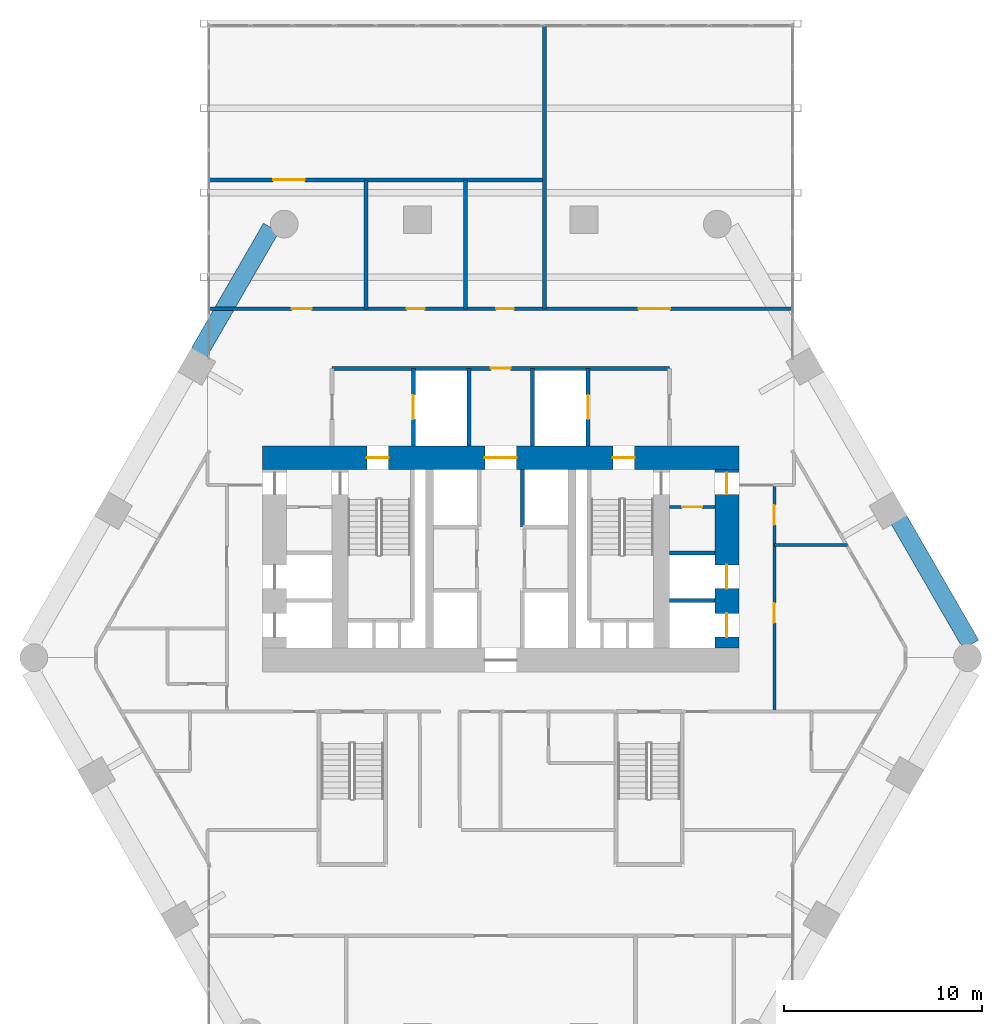
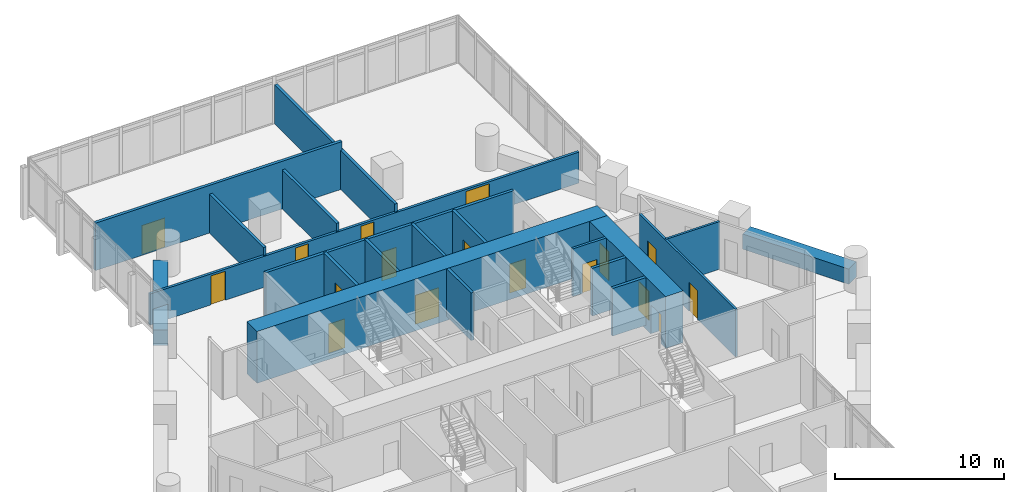
# One storey, part 26 of 28: 20 walls, 17 doors, 17 openings.
"""IFC4 building model written with IfcOpenShell, lengths in metres."""

from ifc_helpers import new_model, si_unit, direction, frame, frame_2d, origin, place, context, subcontext, project, spatial, rectangle, extrude, material, layer, layer_set, type_object, element, fill, save


model = new_model("IFC4")

# Units and contexts
model_context = context("Model", 3, precision=1e-05, world=origin(), true_north=direction((0.0, 1.0)))
body_context = subcontext(model_context, "Body", "Model", "MODEL_VIEW")
ifc_project = project(units=[si_unit("LENGTHUNIT", "METRE"), si_unit("AREAUNIT", "SQUARE_METRE"), si_unit("VOLUMEUNIT", "CUBIC_METRE"), si_unit("PLANEANGLEUNIT", "RADIAN"), si_unit("MASSUNIT", "GRAM", prefix="KILO")], contexts=[model_context])

# Site, building, storey
site_placement = place(None, origin())
site = spatial("IfcSite", under=ifc_project, at=site_placement, CompositionType="ELEMENT")
building_placement = place(site_placement, origin())
building = spatial("IfcBuilding", under=site, at=building_placement, Name="Ostrander Bayou Hotel Tower", CompositionType="ELEMENT")
storey_placement = place(building_placement, frame((0.0, 0.0, 73.0)))
storey = spatial("IfcBuildingStorey", under=building, at=storey_placement, Name="L18", CompositionType="ELEMENT", Elevation=73.0)

# Wall, openings, doors
ifc_material_1 = material(Name="Concrete f'c 70 MPa", Category="concrete")
ifc_layer_1 = layer(ifc_material_1, 1.199951171875)
ifc_layer_set_1 = layer_set([ifc_layer_1], Name="CW1 core wall 1200 mm f'c 70 MPa")
wall_type_1 = type_object("IfcWallType", Name="CW1 core wall 1200 mm f'c 70 MPa", PredefinedType="SHEAR", material=ifc_layer_set_1)
wall_1_placement = place(storey_placement, frame((-12.0, 9.10009765625, -0.300048828125), z_axis=(0.0, 0.0, 1.0), x_axis=(1.0, 0.0, 0.0)))
wall_1 = element("IfcWall", 1, at=wall_1_placement, inside=storey, type_object=wall_type_1, Name="CW1 L18 N", PredefinedType="SHEAR", context=body_context, shape_type="SweptSolid", body=[
    extrude(rectangle(XDim=24.0, YDim=1.199951171875, at=frame_2d((12.0, 0.0))), origin(), (0.0, 0.0, 1.0), 3.75),
])
opening_1_placement = place(wall_1_placement, frame((11.199951171875, 0.0, 0.0)))
opening_1 = element("IfcOpeningElement", 2, at=opening_1_placement, cuts=wall_1, Name="Opening T18-002", PredefinedType="OPENING", context=body_context, shape_type="SweptSolid", body=[
    extrude(rectangle(XDim=1.60009765625, YDim=2.10009765625, at=frame_2d((0.800048828125, 1.050048828125))), frame((0.0, 0.60009765625, 0.0), z_axis=(0.0, -1.0, 0.0), x_axis=(1.0, 0.0, 0.0)), (0.0, 0.0, 1.0), 1.199951171875),
])
opening_2_placement = place(wall_1_placement, frame((5.25, 0.0, 0.0)))
opening_2 = element("IfcOpeningElement", 3, at=opening_2_placement, cuts=wall_1, Name="Opening T18-003", PredefinedType="OPENING", context=body_context, shape_type="SweptSolid", body=[
    extrude(rectangle(XDim=1.10009765625, YDim=2.10009765625, at=frame_2d((0.550048828125, 1.050048828125))), frame((0.0, 0.60009765625, 0.0), z_axis=(0.0, -1.0, 0.0), x_axis=(1.0, 0.0, 0.0)), (0.0, 0.0, 1.0), 1.199951171875),
])
opening_3_placement = place(wall_1_placement, frame((17.64990234375, 0.0, 0.0)))
opening_3 = element("IfcOpeningElement", 4, at=opening_3_placement, cuts=wall_1, Name="Opening T18-005", PredefinedType="OPENING", context=body_context, shape_type="SweptSolid", body=[
    extrude(rectangle(XDim=1.10009765625, YDim=2.10009765625, at=frame_2d((0.550048828125, 1.050048828125))), frame((0.0, 0.60009765625, 0.0), z_axis=(0.0, -1.0, 0.0), x_axis=(1.0, 0.0, 0.0)), (0.0, 0.0, 1.0), 1.199951171875),
])
ifc_material_2 = material(Name="Timber door leaf", Category="wood")
door_type_1 = type_object("IfcDoorType", Name="D13 double door 1600 x 2100 mm, 1 hour", OperationType="SINGLE_SWING_LEFT", PredefinedType="DOOR", material=ifc_material_2)
door_1_placement = place(opening_1_placement, origin())
door_1 = element("IfcDoor", 5, at=door_1_placement, inside=storey, type_object=door_type_1, Name="dr:L18:002", OperationType="DOUBLE_DOOR_SINGLE_SWING", OverallHeight=2.10009765625, OverallWidth=1.60009765625, PredefinedType="DOOR", context=body_context, shape_type="SweptSolid", body=[
    extrude(rectangle(XDim=1.60009765625, YDim=2.10009765625, at=frame_2d((0.800048828125, 1.050048828125))), frame((0.0, 0.02490234375, 0.0), z_axis=(0.0, -1.0, 0.0), x_axis=(1.0, 0.0, 0.0)), (0.0, 0.0, 1.0), 0.050048828125),
])
fill(opening_1, door_1)
ifc_material_3 = material(Name="Timber door leaf", Category="wood")
door_type_2 = type_object("IfcDoorType", Name="D5 stair door 1100 x 2100 mm, 90 minute", OperationType="SINGLE_SWING_LEFT", PredefinedType="DOOR", material=ifc_material_3)
door_2_placement = place(opening_2_placement, origin())
door_2 = element("IfcDoor", 6, at=door_2_placement, inside=storey, type_object=door_type_2, Name="dr:L18:003", OperationType="SINGLE_SWING_LEFT", OverallHeight=2.10009765625, OverallWidth=1.10009765625, PredefinedType="DOOR", context=body_context, shape_type="SweptSolid", body=[
    extrude(rectangle(XDim=1.10009765625, YDim=2.10009765625, at=frame_2d((0.550048828125, 1.050048828125))), frame((0.0, 0.02490234375, 0.0), z_axis=(0.0, -1.0, 0.0), x_axis=(1.0, 0.0, 0.0)), (0.0, 0.0, 1.0), 0.050048828125),
])
fill(opening_2, door_2)
door_3_placement = place(opening_3_placement, origin())
door_3 = element("IfcDoor", 7, at=door_3_placement, inside=storey, type_object=door_type_2, Name="dr:L18:005", OperationType="SINGLE_SWING_RIGHT", OverallHeight=2.10009765625, OverallWidth=1.10009765625, PredefinedType="DOOR", context=body_context, shape_type="SweptSolid", body=[
    extrude(rectangle(XDim=1.10009765625, YDim=2.10009765625, at=frame_2d((0.550048828125, 1.050048828125))), frame((0.0, 0.02490234375, 0.0), z_axis=(0.0, -1.0, 0.0), x_axis=(1.0, 0.0, 0.0)), (0.0, 0.0, 1.0), 0.050048828125),
])
fill(opening_3, door_3)

wall_2_placement = place(storey_placement, frame((11.39990234375, -0.5, -0.300048828125), z_axis=(0.0, 0.0, 1.0), x_axis=(0.0, 1.0, 0.0)))
wall_2 = element("IfcWall", 8, at=wall_2_placement, inside=storey, type_object=wall_type_1, Name="CW1 L18 RE", PredefinedType="SHEAR", context=body_context, shape_type="SweptSolid", body=[
    extrude(rectangle(XDim=9.0, YDim=1.199951171875, at=frame_2d((4.5, 0.0))), origin(), (0.0, 0.0, 1.0), 3.75),
])
opening_4_placement = place(wall_2_placement, frame((7.75, 0.0, 0.0)))
opening_4 = element("IfcOpeningElement", 9, at=opening_4_placement, cuts=wall_2, Name="Opening T18-021", PredefinedType="OPENING", context=body_context, shape_type="SweptSolid", body=[
    extrude(rectangle(XDim=1.10009765625, YDim=2.10009765625, at=frame_2d((0.550048828125, 1.050048828125))), frame((0.0, 0.60009765625, 0.0), z_axis=(0.0, -1.0, 0.0), x_axis=(1.0, 0.0, 0.0)), (0.0, 0.0, 1.0), 1.199951171875),
])
opening_5_placement = place(wall_2_placement, frame((0.550048828125, 0.0, 0.0)))
opening_5 = element("IfcOpeningElement", 10, at=opening_5_placement, cuts=wall_2, Name="Opening T18-022", PredefinedType="OPENING", context=body_context, shape_type="SweptSolid", body=[
    extrude(rectangle(XDim=1.199951171875, YDim=2.10009765625, at=frame_2d((0.60009765625, 1.050048828125))), frame((0.0, 0.60009765625, 0.0), z_axis=(0.0, -1.0, 0.0), x_axis=(1.0, 0.0, 0.0)), (0.0, 0.0, 1.0), 1.199951171875),
])
opening_6_placement = place(wall_2_placement, frame((3.0, 0.0, 0.0)))
opening_6 = element("IfcOpeningElement", 11, at=opening_6_placement, cuts=wall_2, Name="Opening T18-023", PredefinedType="OPENING", context=body_context, shape_type="SweptSolid", body=[
    extrude(rectangle(XDim=1.199951171875, YDim=2.10009765625, at=frame_2d((0.60009765625, 1.050048828125))), frame((0.0, 0.60009765625, 0.0), z_axis=(0.0, -1.0, 0.0), x_axis=(1.0, 0.0, 0.0)), (0.0, 0.0, 1.0), 1.199951171875),
])
door_4_placement = place(opening_4_placement, origin())
door_4 = element("IfcDoor", 12, at=door_4_placement, inside=storey, type_object=door_type_2, Name="dr:L18:021", OperationType="SINGLE_SWING_RIGHT", OverallHeight=2.10009765625, OverallWidth=1.10009765625, PredefinedType="DOOR", context=body_context, shape_type="SweptSolid", body=[
    extrude(rectangle(XDim=1.10009765625, YDim=2.10009765625, at=frame_2d((0.550048828125, 1.050048828125))), frame((0.0, 0.02490234375, 0.0), z_axis=(0.0, -1.0, 0.0), x_axis=(1.0, 0.0, 0.0)), (0.0, 0.0, 1.0), 0.050048828125),
])
fill(opening_4, door_4)
ifc_material_4 = material(Name="Stainless steel sliding door", Category="steel")
door_type_3 = type_object("IfcDoorType", Name="LD1 lift landing door 1200 x 2100 mm", OperationType="SINGLE_SWING_LEFT", PredefinedType="DOOR", material=ifc_material_4)
door_5_placement = place(opening_5_placement, origin())
door_5 = element("IfcDoor", 13, at=door_5_placement, inside=storey, type_object=door_type_3, Name="dr:L18:022", OperationType="SLIDING_TO_LEFT", OverallHeight=2.10009765625, OverallWidth=1.199951171875, PredefinedType="DOOR", context=body_context, shape_type="SweptSolid", body=[
    extrude(rectangle(XDim=1.199951171875, YDim=2.10009765625, at=frame_2d((0.60009765625, 1.050048828125))), frame((0.0, 0.02490234375, 0.0), z_axis=(0.0, -1.0, 0.0), x_axis=(1.0, 0.0, 0.0)), (0.0, 0.0, 1.0), 0.050048828125),
])
fill(opening_5, door_5)
door_6_placement = place(opening_6_placement, origin())
door_6 = element("IfcDoor", 14, at=door_6_placement, inside=storey, type_object=door_type_3, Name="dr:L18:023", OperationType="SLIDING_TO_LEFT", OverallHeight=2.10009765625, OverallWidth=1.199951171875, PredefinedType="DOOR", context=body_context, shape_type="SweptSolid", body=[
    extrude(rectangle(XDim=1.199951171875, YDim=2.10009765625, at=frame_2d((0.60009765625, 1.050048828125))), frame((0.0, 0.02490234375, 0.0), z_axis=(0.0, -1.0, 0.0), x_axis=(1.0, 0.0, 0.0)), (0.0, 0.0, 1.0), 0.050048828125),
])
fill(opening_6, door_6)

# Walls
ifc_material_5 = material(Name="Concrete f'c 40 MPa", Category="concrete")
ifc_layer_2 = layer(ifc_material_5, 0.89990234375)
ifc_layer_set_2 = layer_set([ifc_layer_2], Name="PA1 stone-faced parapet 900 mm")
wall_type_2 = type_object("IfcWallType", Name="PA1 stone-faced parapet 900 mm", PredefinedType="PARAPET", material=ifc_layer_set_2)
for number, where, z_axis, x_axis, name in (
    (15, (-11.5712890625, 20.694091796875, 0.0), (0.0, 0.0, 1.0), (-0.50000343918, -0.866023418164, 0.0), "PA1 L18 NW-1"),
    (16, (23.707275390625, -0.325927734375, 0.0), (0.0, 0.0, 1.0), (-0.50000343918, 0.866023418164, 0.0), "PA1 L18 NE-1"),
):
    element("IfcWall", number, at=place(storey_placement, frame(where, z_axis=z_axis, x_axis=x_axis)), inside=storey, type_object=wall_type_2, Name=name, PredefinedType="PARAPET", context=body_context, shape_type="SweptSolid", body=[
        extrude(rectangle(XDim=7.2705078125, YDim=0.89990234375, at=frame_2d((3.63525390625, 0.0))), origin(), (0.0, 0.0, 1.0), 1.10009765625),
    ])

# Wall, opening, door
ifc_material_6 = material(Name="Gypsum board partition", Category="finish")
ifc_layer_3 = layer(ifc_material_6, 0.199951171875)
ifc_layer_set_3 = layer_set([ifc_layer_3], Name="PT3 demising wall 200 mm acoustic double stud, 1 hour")
wall_type_3 = type_object("IfcWallType", Name="PT3 demising wall 200 mm acoustic double stud, 1 hour", PredefinedType="PARTITIONING", material=ifc_layer_set_3)
wall_3_placement = place(storey_placement, frame((-14.693115234375, 23.10009765625, 0.0), z_axis=(0.0, 0.0, 1.0), x_axis=(1.0, 0.0, 0.0)))
wall_3 = element("IfcWall", 17, at=wall_3_placement, inside=storey, type_object=wall_type_3, Name="sw:L18:505", PredefinedType="PARTITIONING", context=body_context, shape_type="SweptSolid", body=[
    extrude(rectangle(XDim=16.906005859375, YDim=0.199951171875, at=frame_2d((8.453125, 0.0))), origin(), (0.0, 0.0, 1.0), 3.449951171875),
])
opening_7_placement = place(wall_3_placement, frame((3.220947265625, 0.0, 0.0)))
opening_7 = element("IfcOpeningElement", 18, at=opening_7_placement, cuts=wall_3, Name="Opening T18-1211", PredefinedType="OPENING", context=body_context, shape_type="SweptSolid", body=[
    extrude(rectangle(XDim=1.60009765625, YDim=2.10009765625, at=frame_2d((0.800048828125, 1.050048828125))), frame((0.0, 0.10009765625, 0.0), z_axis=(0.0, -1.0, 0.0), x_axis=(1.0, 0.0, 0.0)), (0.0, 0.0, 1.0), 0.199951171875),
])
door_7_placement = place(opening_7_placement, origin())
door_7 = element("IfcDoor", 19, at=door_7_placement, inside=storey, type_object=door_type_1, Name="dr:L18:1211", OperationType="DOUBLE_DOOR_SINGLE_SWING", OverallHeight=2.10009765625, OverallWidth=1.60009765625, PredefinedType="DOOR", context=body_context, shape_type="SweptSolid", body=[
    extrude(rectangle(XDim=1.60009765625, YDim=2.10009765625, at=frame_2d((0.800048828125, 1.050048828125))), frame((0.0, 0.02490234375, 0.0), z_axis=(0.0, -1.0, 0.0), x_axis=(1.0, 0.0, 0.0)), (0.0, 0.0, 1.0), 0.050048828125),
])
fill(opening_7, door_7)

# Walls
for number, where, z_axis, x_axis, name in (
    (20, (-6.787109375, 16.60009765625, 0.0), (0.0, 0.0, 1.0), (0.0, 1.0, 0.0), "sw:L18:507"),
    (21, (-1.787109375, 16.60009765625, 0.0), (0.0, 0.0, 1.0), (0.0, 1.0, 0.0), "sw:L18:508"),
):
    element("IfcWall", number, at=place(storey_placement, frame(where, z_axis=z_axis, x_axis=x_axis)), inside=storey, type_object=wall_type_3, Name=name, PredefinedType="PARTITIONING", context=body_context, shape_type="SweptSolid", body=[
        extrude(rectangle(XDim=6.5, YDim=0.199951171875, at=frame_2d((3.25, 0.0))), origin(), (0.0, 0.0, 1.0), 2.828125),
    ])
wall_4_placement = place(storey_placement, frame((2.212890625, 16.60009765625, 0.0), z_axis=(0.0, 0.0, 1.0), x_axis=(0.0, 1.0, 0.0)))
element("IfcWall", 22, at=wall_4_placement, inside=storey, type_object=wall_type_3, Name="sw:L18:509", PredefinedType="PARTITIONING", context=body_context, shape_type="SweptSolid", body=[
    extrude(rectangle(XDim=14.26708984375, YDim=0.199951171875, at=frame_2d((7.133544921875, 0.0))), origin(), (0.0, 0.0, 1.0), 2.828125),
])

# Wall, opening, door
ifc_material_7 = material(Name="Gypsum board partition", Category="finish")
ifc_layer_4 = layer(ifc_material_7, 0.175048828125)
ifc_layer_set_4 = layer_set([ifc_layer_4], Name="PT4 corridor wall 175 mm, 1 hour")
wall_type_4 = type_object("IfcWallType", Name="PT4 corridor wall 175 mm, 1 hour", PredefinedType="PARTITIONING", material=ifc_layer_set_4)
wall_5_placement = place(storey_placement, frame((8.5, 6.614013671875, 0.0), z_axis=(0.0, 0.0, 1.0), x_axis=(1.0, 0.0, 0.0)))
wall_5 = element("IfcWall", 23, at=wall_5_placement, inside=storey, type_object=wall_type_4, Name="cs:L18:039", PredefinedType="PARTITIONING", context=body_context, shape_type="SweptSolid", body=[
    extrude(rectangle(XDim=2.300048828125, YDim=0.175048828125, at=frame_2d((1.14990234375, 0.0))), origin(), (0.0, 0.0, 1.0), 3.449951171875),
])
opening_8_placement = place(wall_5_placement, frame((0.64990234375, 0.0, 0.0)))
opening_8 = element("IfcOpeningElement", 24, at=opening_8_placement, cuts=wall_5, Name="Opening T18-020", PredefinedType="OPENING", context=body_context, shape_type="SweptSolid", body=[
    extrude(rectangle(XDim=1.0, YDim=2.10009765625, at=frame_2d((0.5, 1.050048828125))), frame((0.0, 0.08740234375, 0.0), z_axis=(0.0, -1.0, 0.0), x_axis=(1.0, 0.0, 0.0)), (0.0, 0.0, 1.0), 0.175048828125),
])
ifc_material_8 = material(Name="Timber door leaf", Category="wood")
door_type_4 = type_object("IfcDoorType", Name="D4 corridor door 1000 x 2100 mm, 1 hour", OperationType="SINGLE_SWING_LEFT", PredefinedType="DOOR", material=ifc_material_8)
door_8_placement = place(opening_8_placement, origin())
door_8 = element("IfcDoor", 25, at=door_8_placement, inside=storey, type_object=door_type_4, Name="dr:L18:020", OperationType="SINGLE_SWING_RIGHT", OverallHeight=2.10009765625, OverallWidth=1.0, PredefinedType="DOOR", context=body_context, shape_type="SweptSolid", body=[
    extrude(rectangle(XDim=1.0, YDim=2.10009765625, at=frame_2d((0.5, 1.050048828125))), frame((0.0, 0.02490234375, 0.0), z_axis=(0.0, -1.0, 0.0), x_axis=(1.0, 0.0, 0.0)), (0.0, 0.0, 1.0), 0.050048828125),
])
fill(opening_8, door_8)

# Wall, openings, doors
wall_6_placement = place(storey_placement, frame((-14.693115234375, 16.60009765625, 0.0), z_axis=(0.0, 0.0, 1.0), x_axis=(1.0, 0.0, 0.0)))
wall_6 = element("IfcWall", 26, at=wall_6_placement, inside=storey, type_object=wall_type_4, Name="sw:L18:501", PredefinedType="PARTITIONING", context=body_context, shape_type="SweptSolid", body=[
    extrude(rectangle(XDim=29.38623046875, YDim=0.175048828125, at=frame_2d((14.693115234375, 0.0))), origin(), (0.0, 0.0, 1.0), 2.25),
])
opening_9_placement = place(wall_6_placement, frame((4.1611328125, 0.0, 0.0)))
opening_9 = element("IfcOpeningElement", 27, at=opening_9_placement, cuts=wall_6, Name="Opening T18-1207", PredefinedType="OPENING", context=body_context, shape_type="SweptSolid", body=[
    extrude(rectangle(XDim=1.0, YDim=2.10009765625, at=frame_2d((0.5, 1.050048828125))), frame((0.0, 0.08740234375, 0.0), z_axis=(0.0, -1.0, 0.0), x_axis=(1.0, 0.0, 0.0)), (0.0, 0.0, 1.0), 0.175048828125),
])
opening_10_placement = place(wall_6_placement, frame((9.9560546875, 0.0, 0.0)))
opening_10 = element("IfcOpeningElement", 28, at=opening_10_placement, cuts=wall_6, Name="Opening T18-1208", PredefinedType="OPENING", context=body_context, shape_type="SweptSolid", body=[
    extrude(rectangle(XDim=0.89990234375, YDim=2.10009765625, at=frame_2d((0.449951171875, 1.050048828125))), frame((0.0, 0.08740234375, 0.0), z_axis=(0.0, -1.0, 0.0), x_axis=(1.0, 0.0, 0.0)), (0.0, 0.0, 1.0), 0.175048828125),
])
opening_11_placement = place(wall_6_placement, frame((14.4560546875, 0.0, 0.0)))
opening_11 = element("IfcOpeningElement", 29, at=opening_11_placement, cuts=wall_6, Name="Opening T18-1209", PredefinedType="OPENING", context=body_context, shape_type="SweptSolid", body=[
    extrude(rectangle(XDim=0.89990234375, YDim=2.10009765625, at=frame_2d((0.449951171875, 1.050048828125))), frame((0.0, 0.08740234375, 0.0), z_axis=(0.0, -1.0, 0.0), x_axis=(1.0, 0.0, 0.0)), (0.0, 0.0, 1.0), 0.175048828125),
])
opening_12_placement = place(wall_6_placement, frame((21.637939453125, 0.0, 0.0)))
opening_12 = element("IfcOpeningElement", 30, at=opening_12_placement, cuts=wall_6, Name="Opening T18-1210", PredefinedType="OPENING", context=body_context, shape_type="SweptSolid", body=[
    extrude(rectangle(XDim=1.60009765625, YDim=2.10009765625, at=frame_2d((0.800048828125, 1.050048828125))), frame((0.0, 0.08740234375, 0.0), z_axis=(0.0, -1.0, 0.0), x_axis=(1.0, 0.0, 0.0)), (0.0, 0.0, 1.0), 0.175048828125),
])
door_9_placement = place(opening_12_placement, origin())
door_9 = element("IfcDoor", 31, at=door_9_placement, inside=storey, type_object=door_type_1, Name="dr:L18:1210", OperationType="DOUBLE_DOOR_SINGLE_SWING", OverallHeight=2.10009765625, OverallWidth=1.60009765625, PredefinedType="DOOR", context=body_context, shape_type="SweptSolid", body=[
    extrude(rectangle(XDim=1.60009765625, YDim=2.10009765625, at=frame_2d((0.800048828125, 1.050048828125))), frame((0.0, 0.02490234375, 0.0), z_axis=(0.0, -1.0, 0.0), x_axis=(1.0, 0.0, 0.0)), (0.0, 0.0, 1.0), 0.050048828125),
])
fill(opening_12, door_9)
ifc_material_9 = material(Name="Timber door leaf", Category="wood")
door_type_5 = type_object("IfcDoorType", Name="D8 room door 900 x 2100 mm", OperationType="SINGLE_SWING_LEFT", PredefinedType="DOOR", material=ifc_material_9)
door_10_placement = place(opening_10_placement, origin())
door_10 = element("IfcDoor", 32, at=door_10_placement, inside=storey, type_object=door_type_5, Name="dr:L18:1208", OperationType="SINGLE_SWING_RIGHT", OverallHeight=2.10009765625, OverallWidth=0.89990234375, PredefinedType="DOOR", context=body_context, shape_type="SweptSolid", body=[
    extrude(rectangle(XDim=0.89990234375, YDim=2.10009765625, at=frame_2d((0.449951171875, 1.050048828125))), frame((0.0, 0.02490234375, 0.0), z_axis=(0.0, -1.0, 0.0), x_axis=(1.0, 0.0, 0.0)), (0.0, 0.0, 1.0), 0.050048828125),
])
fill(opening_10, door_10)
door_11_placement = place(opening_11_placement, origin())
door_11 = element("IfcDoor", 33, at=door_11_placement, inside=storey, type_object=door_type_5, Name="dr:L18:1209", OperationType="SINGLE_SWING_LEFT", OverallHeight=2.10009765625, OverallWidth=0.89990234375, PredefinedType="DOOR", context=body_context, shape_type="SweptSolid", body=[
    extrude(rectangle(XDim=0.89990234375, YDim=2.10009765625, at=frame_2d((0.449951171875, 1.050048828125))), frame((0.0, 0.02490234375, 0.0), z_axis=(0.0, -1.0, 0.0), x_axis=(1.0, 0.0, 0.0)), (0.0, 0.0, 1.0), 0.050048828125),
])
fill(opening_11, door_11)
ifc_material_10 = material(Name="Timber door leaf", Category="wood")
door_type_6 = type_object("IfcDoorType", Name="D9 service door 1000 x 2100 mm, 30 minute", OperationType="SINGLE_SWING_LEFT", PredefinedType="DOOR", material=ifc_material_10)
door_12_placement = place(opening_9_placement, origin())
door_12 = element("IfcDoor", 34, at=door_12_placement, inside=storey, type_object=door_type_6, Name="dr:L18:1207", OperationType="SINGLE_SWING_LEFT", OverallHeight=2.10009765625, OverallWidth=1.0, PredefinedType="DOOR", context=body_context, shape_type="SweptSolid", body=[
    extrude(rectangle(XDim=1.0, YDim=2.10009765625, at=frame_2d((0.5, 1.050048828125))), frame((0.0, 0.02490234375, 0.0), z_axis=(0.0, -1.0, 0.0), x_axis=(1.0, 0.0, 0.0)), (0.0, 0.0, 1.0), 0.050048828125),
])
fill(opening_9, door_12)

# Wall, opening, door
ifc_material_11 = material(Name="Masonry block", Category="masonry")
ifc_layer_5 = layer(ifc_material_11, 0.199951171875)
ifc_layer_set_5 = layer_set([ifc_layer_5], Name="PT5 stair enclosure wall 200 mm masonry, 2 hour")
wall_type_5 = type_object("IfcWallType", Name="PT5 stair enclosure wall 200 mm masonry, 2 hour", PredefinedType="PARTITIONING", material=ifc_layer_set_5)
wall_7_placement = place(storey_placement, frame((-8.5, 13.60009765625, 0.0), z_axis=(0.0, 0.0, 1.0), x_axis=(1.0, 0.0, 0.0)))
wall_7 = element("IfcWall", 35, at=wall_7_placement, inside=storey, type_object=wall_type_5, Name="cs:L18:025", PredefinedType="PARTITIONING", context=body_context, shape_type="SweptSolid", body=[
    extrude(rectangle(XDim=17.0, YDim=0.199951171875, at=frame_2d((8.5, 0.0))), origin(), (0.0, 0.0, 1.0), 3.449951171875),
])
opening_13_placement = place(wall_7_placement, frame((8.0, 0.0, 0.0)))
opening_13 = element("IfcOpeningElement", 36, at=opening_13_placement, cuts=wall_7, Name="Opening T18-013", PredefinedType="OPENING", context=body_context, shape_type="SweptSolid", body=[
    extrude(rectangle(XDim=1.0, YDim=2.10009765625, at=frame_2d((0.5, 1.050048828125))), frame((0.0, 0.10009765625, 0.0), z_axis=(0.0, -1.0, 0.0), x_axis=(1.0, 0.0, 0.0)), (0.0, 0.0, 1.0), 0.199951171875),
])
door_13_placement = place(opening_13_placement, origin())
door_13 = element("IfcDoor", 37, at=door_13_placement, inside=storey, type_object=door_type_6, Name="dr:L18:013", OperationType="SINGLE_SWING_LEFT", OverallHeight=2.10009765625, OverallWidth=1.0, PredefinedType="DOOR", context=body_context, shape_type="SweptSolid", body=[
    extrude(rectangle(XDim=1.0, YDim=2.10009765625, at=frame_2d((0.5, 1.050048828125))), frame((0.0, 0.02490234375, 0.0), z_axis=(0.0, -1.0, 0.0), x_axis=(1.0, 0.0, 0.0)), (0.0, 0.0, 1.0), 0.050048828125),
])
fill(opening_13, door_13)

wall_8_placement = place(storey_placement, frame((-4.39990234375, 9.699951171875, 0.0), z_axis=(0.0, 0.0, 1.0), x_axis=(0.0, 1.0, 0.0)))
wall_8 = element("IfcWall", 38, at=wall_8_placement, inside=storey, type_object=wall_type_5, Name="cs:L18:028", PredefinedType="PARTITIONING", context=body_context, shape_type="SweptSolid", body=[
    extrude(rectangle(XDim=3.900146484375, YDim=0.199951171875, at=frame_2d((1.9501953125, 0.0))), origin(), (0.0, 0.0, 1.0), 3.449951171875),
])
opening_14_placement = place(wall_8_placement, frame((1.35009765625, 0.0, 0.0)))
opening_14 = element("IfcOpeningElement", 39, at=opening_14_placement, cuts=wall_8, Name="Opening T18-009", PredefinedType="OPENING", context=body_context, shape_type="SweptSolid", body=[
    extrude(rectangle(XDim=1.199951171875, YDim=2.10009765625, at=frame_2d((0.60009765625, 1.050048828125))), frame((0.0, 0.10009765625, 0.0), z_axis=(0.0, -1.0, 0.0), x_axis=(1.0, 0.0, 0.0)), (0.0, 0.0, 1.0), 0.199951171875),
])
door_14_placement = place(opening_14_placement, origin())
door_14 = element("IfcDoor", 40, at=door_14_placement, inside=storey, type_object=door_type_3, Name="dr:L18:009", OperationType="SLIDING_TO_LEFT", OverallHeight=2.10009765625, OverallWidth=1.199951171875, PredefinedType="DOOR", context=body_context, shape_type="SweptSolid", body=[
    extrude(rectangle(XDim=1.199951171875, YDim=2.10009765625, at=frame_2d((0.60009765625, 1.050048828125))), frame((0.0, 0.02490234375, 0.0), z_axis=(0.0, -1.0, 0.0), x_axis=(1.0, 0.0, 0.0)), (0.0, 0.0, 1.0), 0.050048828125),
])
fill(opening_14, door_14)

wall_9_placement = place(storey_placement, frame((4.39990234375, 9.699951171875, 0.0), z_axis=(0.0, 0.0, 1.0), x_axis=(0.0, 1.0, 0.0)))
wall_9 = element("IfcWall", 41, at=wall_9_placement, inside=storey, type_object=wall_type_5, Name="cs:L18:029", PredefinedType="PARTITIONING", context=body_context, shape_type="SweptSolid", body=[
    extrude(rectangle(XDim=3.900146484375, YDim=0.199951171875, at=frame_2d((1.9501953125, 0.0))), origin(), (0.0, 0.0, 1.0), 3.449951171875),
])
opening_15_placement = place(wall_9_placement, frame((1.35009765625, 0.0, 0.0)))
opening_15 = element("IfcOpeningElement", 42, at=opening_15_placement, cuts=wall_9, Name="Opening T18-011", PredefinedType="OPENING", context=body_context, shape_type="SweptSolid", body=[
    extrude(rectangle(XDim=1.199951171875, YDim=2.10009765625, at=frame_2d((0.60009765625, 1.050048828125))), frame((0.0, 0.10009765625, 0.0), z_axis=(0.0, -1.0, 0.0), x_axis=(1.0, 0.0, 0.0)), (0.0, 0.0, 1.0), 0.199951171875),
])
door_15_placement = place(opening_15_placement, origin())
door_15 = element("IfcDoor", 43, at=door_15_placement, inside=storey, type_object=door_type_3, Name="dr:L18:011", OperationType="SLIDING_TO_LEFT", OverallHeight=2.10009765625, OverallWidth=1.199951171875, PredefinedType="DOOR", context=body_context, shape_type="SweptSolid", body=[
    extrude(rectangle(XDim=1.199951171875, YDim=2.10009765625, at=frame_2d((0.60009765625, 1.050048828125))), frame((0.0, 0.02490234375, 0.0), z_axis=(0.0, -1.0, 0.0), x_axis=(1.0, 0.0, 0.0)), (0.0, 0.0, 1.0), 0.050048828125),
])
fill(opening_15, door_15)

# Walls
ifc_material_12 = material(Name="Masonry block", Category="masonry")
ifc_layer_6 = layer(ifc_material_12, 0.199951171875)
ifc_layer_set_6 = layer_set([ifc_layer_6], Name="PT6 lift shaft wall 200 mm masonry, 2 hour")
wall_type_6 = type_object("IfcWallType", Name="PT6 lift shaft wall 200 mm masonry, 2 hour", PredefinedType="PARTITIONING", material=ifc_layer_set_6)
wall_10_placement = place(storey_placement, frame((1.10009765625, 5.60009765625, 0.0), z_axis=(0.0, 0.0, 1.0), x_axis=(0.0, 1.0, 0.0)))
element("IfcWall", 44, at=wall_10_placement, inside=storey, type_object=wall_type_6, Name="cs:L18:008", PredefinedType="PARTITIONING", context=body_context, shape_type="SweptSolid", body=[
    extrude(rectangle(XDim=2.89990234375, YDim=0.199951171875, at=frame_2d((1.449951171875, 0.0))), origin(), (0.0, 0.0, 1.0), 3.449951171875),
])
for number, where, z_axis, x_axis, name in (
    (45, (-1.60009765625, 9.699951171875, 0.0), (0.0, 0.0, 1.0), (0.0, 1.0, 0.0), "cs:L18:030"),
    (46, (1.60009765625, 9.699951171875, 0.0), (0.0, 0.0, 1.0), (0.0, 1.0, 0.0), "cs:L18:031"),
):
    element("IfcWall", number, at=place(storey_placement, frame(where, z_axis=z_axis, x_axis=x_axis)), inside=storey, type_object=wall_type_6, Name=name, PredefinedType="PARTITIONING", context=body_context, shape_type="SweptSolid", body=[
        extrude(rectangle(XDim=3.900146484375, YDim=0.199951171875, at=frame_2d((1.9501953125, 0.0))), origin(), (0.0, 0.0, 1.0), 3.449951171875),
    ])
for number, where, z_axis, x_axis, name in (
    (47, (8.5, 1.89990234375, 0.0), (0.0, 0.0, 1.0), (1.0, 0.0, 0.0), "cs:L18:037"),
    (48, (8.5, 4.300048828125, 0.0), (0.0, 0.0, 1.0), (1.0, 0.0, 0.0), "cs:L18:038"),
):
    element("IfcWall", number, at=place(storey_placement, frame(where, z_axis=z_axis, x_axis=x_axis)), inside=storey, type_object=wall_type_6, Name=name, PredefinedType="PARTITIONING", context=body_context, shape_type="SweptSolid", body=[
        extrude(rectangle(XDim=2.300048828125, YDim=0.199951171875, at=frame_2d((1.14990234375, 0.0))), origin(), (0.0, 0.0, 1.0), 3.449951171875),
    ])
ifc_material_13 = material(Name="Gypsum board partition", Category="finish")
ifc_layer_7 = layer(ifc_material_13, 0.14990234375)
ifc_layer_set_7 = layer_set([ifc_layer_7], Name="PT8 service band wall 150 mm, 1 hour")
wall_type_7 = type_object("IfcWallType", Name="PT8 service band wall 150 mm, 1 hour", PredefinedType="PARTITIONING", material=ifc_layer_set_7)
wall_11_placement = place(storey_placement, frame((13.800048828125, 4.699951171875, 0.0), z_axis=(0.0, 0.0, 1.0), x_axis=(1.0, 0.0, 0.0)))
element("IfcWall", 49, at=wall_11_placement, inside=storey, type_object=wall_type_7, Name="gw:L18:013", PredefinedType="PARTITIONING", context=body_context, shape_type="SweptSolid", body=[
    extrude(rectangle(XDim=3.679931640625, YDim=0.14990234375, at=frame_2d((1.83984375, 0.0))), origin(), (0.0, 0.0, 1.0), 3.449951171875),
])

# Wall, openings, doors
wall_12_placement = place(storey_placement, frame((13.800048828125, -3.699951171875, 0.0), z_axis=(0.0, 0.0, 1.0), x_axis=(0.0, 1.0, 0.0)))
wall_12 = element("IfcWall", 50, at=wall_12_placement, inside=storey, type_object=wall_type_7, Name="gw:L18:019", PredefinedType="PARTITIONING", context=body_context, shape_type="SweptSolid", body=[
    extrude(rectangle(XDim=11.4150390625, YDim=0.14990234375, at=frame_2d((5.70751953125, 0.0))), origin(), (0.0, 0.0, 1.0), 3.449951171875),
])
opening_16_placement = place(wall_12_placement, frame((4.468994140625, 0.0, 0.0)))
opening_16 = element("IfcOpeningElement", 51, at=opening_16_placement, cuts=wall_12, Name="Opening T18-410", PredefinedType="OPENING", context=body_context, shape_type="SweptSolid", body=[
    extrude(rectangle(XDim=1.0, YDim=2.10009765625, at=frame_2d((0.5, 1.050048828125))), frame((0.0, 0.074951171875, 0.0), z_axis=(0.0, -1.0, 0.0), x_axis=(1.0, 0.0, 0.0)), (0.0, 0.0, 1.0), 0.14990234375),
])
opening_17_placement = place(wall_12_placement, frame((9.406982421875, 0.0, 0.0)))
opening_17 = element("IfcOpeningElement", 52, at=opening_17_placement, cuts=wall_12, Name="Opening T18-411", PredefinedType="OPENING", context=body_context, shape_type="SweptSolid", body=[
    extrude(rectangle(XDim=1.0, YDim=2.10009765625, at=frame_2d((0.5, 1.050048828125))), frame((0.0, 0.074951171875, 0.0), z_axis=(0.0, -1.0, 0.0), x_axis=(1.0, 0.0, 0.0)), (0.0, 0.0, 1.0), 0.14990234375),
])
ifc_material_14 = material(Name="Timber door leaf", Category="wood")
door_type_7 = type_object("IfcDoorType", Name="D15 room door 1000 x 2100 mm", OperationType="SINGLE_SWING_LEFT", PredefinedType="DOOR", material=ifc_material_14)
door_16_placement = place(opening_16_placement, origin())
door_16 = element("IfcDoor", 53, at=door_16_placement, inside=storey, type_object=door_type_7, Name="dr:L18:410", OperationType="SINGLE_SWING_RIGHT", OverallHeight=2.10009765625, OverallWidth=1.0, PredefinedType="DOOR", context=body_context, shape_type="SweptSolid", body=[
    extrude(rectangle(XDim=1.0, YDim=2.10009765625, at=frame_2d((0.5, 1.050048828125))), frame((0.0, 0.02490234375, 0.0), z_axis=(0.0, -1.0, 0.0), x_axis=(1.0, 0.0, 0.0)), (0.0, 0.0, 1.0), 0.050048828125),
])
fill(opening_16, door_16)
door_17_placement = place(opening_17_placement, origin())
door_17 = element("IfcDoor", 54, at=door_17_placement, inside=storey, type_object=door_type_6, Name="dr:L18:411", OperationType="SINGLE_SWING_LEFT", OverallHeight=2.10009765625, OverallWidth=1.0, PredefinedType="DOOR", context=body_context, shape_type="SweptSolid", body=[
    extrude(rectangle(XDim=1.0, YDim=2.10009765625, at=frame_2d((0.5, 1.050048828125))), frame((0.0, 0.02490234375, 0.0), z_axis=(0.0, -1.0, 0.0), x_axis=(1.0, 0.0, 0.0)), (0.0, 0.0, 1.0), 0.050048828125),
])
fill(opening_17, door_17)

save(model, "model.ifc")
